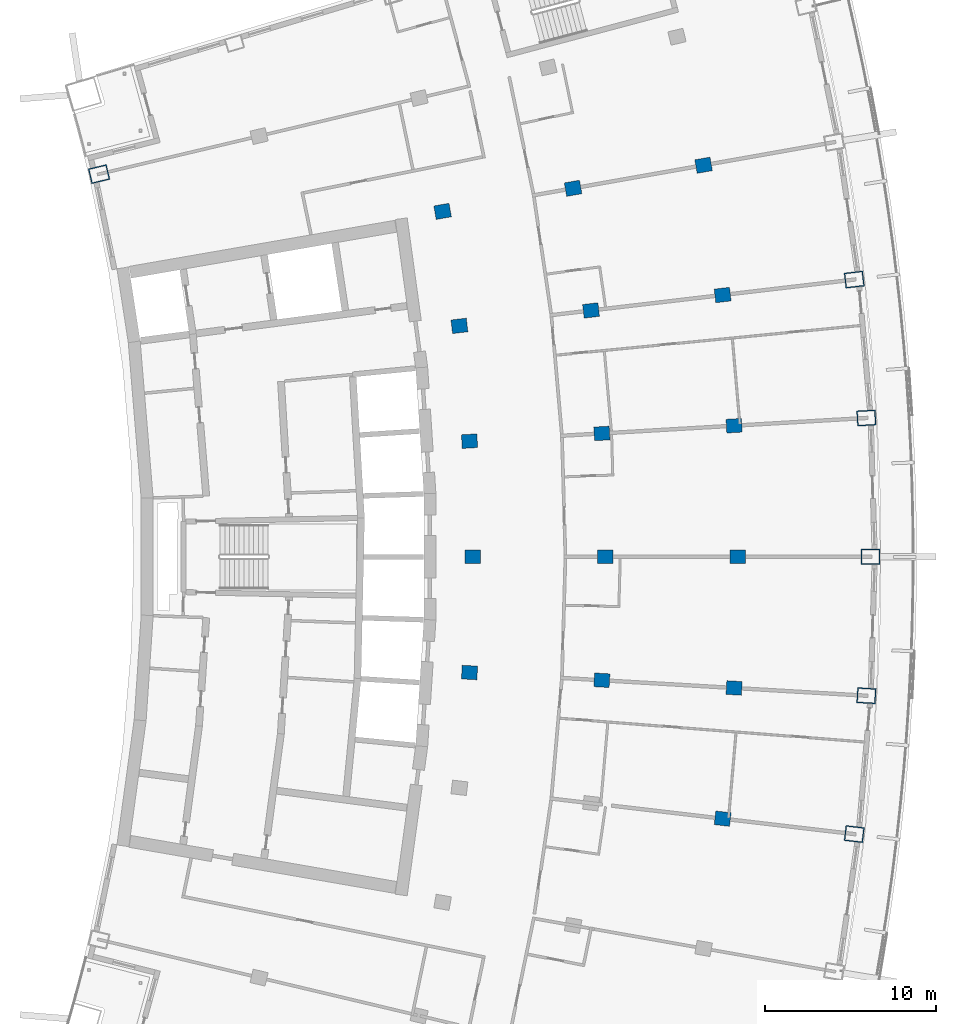
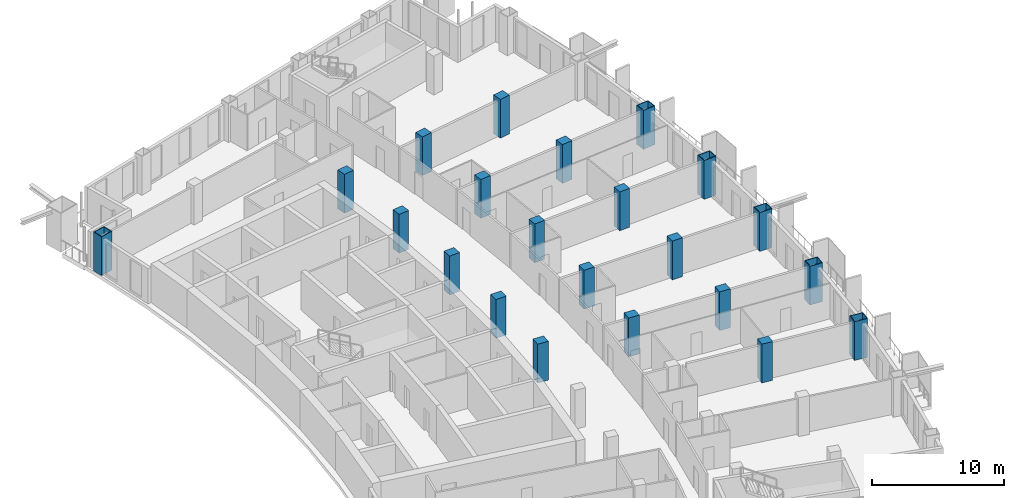
# One storey, part 6 of 20: 22 columns.
"""IFC4 building model written with IfcOpenShell, lengths in metres."""

from ifc_helpers import new_model, si_unit, direction, frame, origin, origin_2d, place, context, subcontext, project, spatial, rectangle, hollow_rectangle, extrude, material, material_profile, profile_set, type_object, element, save


model = new_model("IFC4")

# Units and contexts
model_context = context("Model", 3, precision=1e-05, world=origin(), true_north=direction((0.0, 1.0)))
body_context = subcontext(model_context, "Body", "Model", "MODEL_VIEW")
ifc_project = project(units=[si_unit("LENGTHUNIT", "METRE"), si_unit("AREAUNIT", "SQUARE_METRE"), si_unit("VOLUMEUNIT", "CUBIC_METRE"), si_unit("PLANEANGLEUNIT", "RADIAN"), si_unit("MASSUNIT", "GRAM", prefix="KILO")], contexts=[model_context])

# Site, building, storey
site_placement = place(None, origin())
site = spatial("IfcSite", under=ifc_project, at=site_placement, CompositionType="ELEMENT")
building_placement = place(site_placement, origin())
building = spatial("IfcBuilding", under=site, at=building_placement, Name="Alderwake Tower", CompositionType="ELEMENT")
storey_placement = place(building_placement, frame((0.0, 0.0, 178.39990234375)))
storey = spatial("IfcBuildingStorey", under=building, at=storey_placement, Name="L44", CompositionType="ELEMENT", Elevation=178.39990234375)

# Columns
ifc_material_1 = material(Name="Concrete C70/85", Category="concrete")
ifc_material_profile_1 = material_profile(ifc_material_1, rectangle(XDim=0.800048828125, YDim=0.89990234375, at=origin_2d()), Name="RC 900X800")
ifc_profile_set_1 = profile_set([ifc_material_profile_1], Name="Concrete C70/85")
column_type_1 = type_object("IfcColumnType", Name="Interior column Z3", PredefinedType="COLUMN", material=ifc_profile_set_1)
for number, where, z_axis, x_axis, name in (
    (1, (50.37451171875, 45.72021484375, 0.0), (0.0, 0.0, 1.0), (0.116402054316, 0.993202175668, 0.0), "Column R05-C4"),
    (2, (35.60302734375, 54.248779296875, 0.0), (0.0, 0.0, 1.0), (0.058301061284, 0.998299046505, 0.0), "Column R06-C2"),
    (3, (43.3232421875, 53.798095703125, 0.0), (0.0, 0.0, 1.0), (0.058299318924, 0.998299148258, 0.0), "Column R06-C3"),
    (4, (51.04345703125, 53.34716796875, 0.0), (0.0, 0.0, 1.0), (0.058301061284, 0.998299046505, 0.0), "Column R06-C4"),
    (5, (35.800048828125, 61.0, 0.0), (0.0, 0.0, 1.0), (0.0, 1.0, 0.0), "Column R07-C2"),
    (6, (43.533203125, 61.0, 0.0), (0.0, 0.0, 1.0), (0.0, 1.0, 0.0), "Column R07-C3"),
    (7, (51.2666015625, 61.0, 0.0), (0.0, 0.0, 1.0), (0.0, 1.0, 0.0), "Column R07-C4"),
    (8, (35.60302734375, 67.751220703125, 0.0), (0.0, 0.0, 1.0), (-0.058301061284, 0.998299046505, 0.0), "Column R08-C2"),
    (9, (43.3232421875, 68.201904296875, 0.0), (0.0, 0.0, 1.0), (-0.058299318924, 0.998299148258, 0.0), "Column R08-C3"),
    (10, (51.04345703125, 68.65283203125, 0.0), (0.0, 0.0, 1.0), (-0.058301061284, 0.998299046505, 0.0), "Column R08-C4"),
    (11, (35.0126953125, 74.4794921875, 0.0), (0.0, 0.0, 1.0), (-0.116402054316, 0.993202175668, 0.0), "Column R09-C2"),
    (12, (42.693603515625, 75.37939453125, 0.0), (0.0, 0.0, 1.0), (-0.116402054316, 0.993202175668, 0.0), "Column R09-C3"),
    (13, (50.37451171875, 76.27978515625, 0.0), (0.0, 0.0, 1.0), (-0.116402054316, 0.993202175668, 0.0), "Column R09-C4"),
    (14, (34.03125, 81.16162109375, 0.0), (0.0, 0.0, 1.0), (-0.174108800747, 0.984726421654, 0.0), "Column R10-C2"),
    (15, (41.646484375, 82.50830078125, 0.0), (0.0, 0.0, 1.0), (-0.174108800747, 0.984726421654, 0.0), "Column R10-C3"),
    (16, (49.26171875, 83.8544921875, 0.0), (0.0, 0.0, 1.0), (-0.174108800747, 0.984726421654, 0.0), "Column R10-C4"),
):
    element("IfcColumn", number, at=place(storey_placement, frame(where, z_axis=z_axis, x_axis=x_axis)), inside=storey, type_object=column_type_1, Name=name, PredefinedType="COLUMN", context=body_context, shape_type="SweptSolid", body=[
        extrude(rectangle(XDim=0.800048828125, YDim=0.89990234375, at=origin_2d()), origin(), (0.0, 0.0, 1.0), 3.60009765625),
    ])
ifc_material_2 = material(Name="Steel ASTM A572 Grade 50 concrete filled C70/85", Category="concrete")
ifc_material_profile_2 = material_profile(ifc_material_2, hollow_rectangle(XDim=0.89990234375, YDim=1.10009765625, WallThickness=0.06005859375, at=origin_2d()), Name="BOX 1100X900X60")
ifc_profile_set_2 = profile_set([ifc_material_profile_2], Name="Steel ASTM A572 Grade 50 concrete filled C70/85")
column_type_2 = type_object("IfcColumnType", Name="Perimeter column Z3", PredefinedType="COLUMN", material=ifc_profile_set_2)
for number, where, z_axis, x_axis, name in (
    (17, (58.05517578125, 44.820068359375, 0.0), (0.0, 0.0, 1.0), (0.116402054316, 0.993202175668, 0.0), "Column R05-C5"),
    (18, (58.763671875, 52.896240234375, 0.0), (0.0, 0.0, 1.0), (0.058299318924, 0.998299148258, 0.0), "Column R06-C5"),
    (19, (59.0, 61.0, 0.0), (0.0, 0.0, 1.0), (0.0, 1.0, 0.0), "Column R07-C5"),
    (20, (58.763671875, 69.103759765625, 0.0), (0.0, 0.0, 1.0), (-0.058299318924, 0.998299148258, 0.0), "Column R08-C5"),
    (21, (58.05517578125, 77.179931640625, 0.0), (0.0, 0.0, 1.0), (-0.116402054316, 0.993202175668, 0.0), "Column R09-C5"),
    (22, (13.982177734375, 83.3359375, 0.0), (0.0, 0.0, 1.0), (-0.231221547198, 0.972901123502, 0.0), "Column R11-C0"),
):
    element("IfcColumn", number, at=place(storey_placement, frame(where, z_axis=z_axis, x_axis=x_axis)), inside=storey, type_object=column_type_2, Name=name, PredefinedType="COLUMN", context=body_context, shape_type="SweptSolid", body=[
        extrude(hollow_rectangle(XDim=0.89990234375, YDim=1.10009765625, WallThickness=0.06005859375, at=origin_2d()), origin(), (0.0, 0.0, 1.0), 3.60009765625),
    ])

save(model, "model.ifc")
